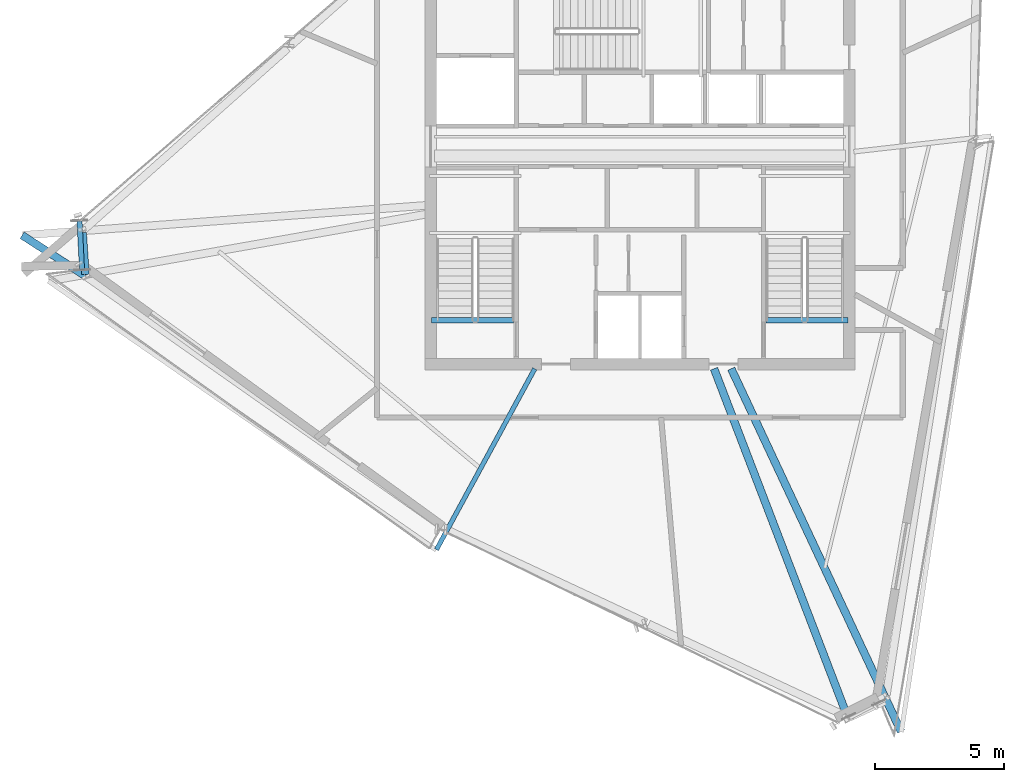
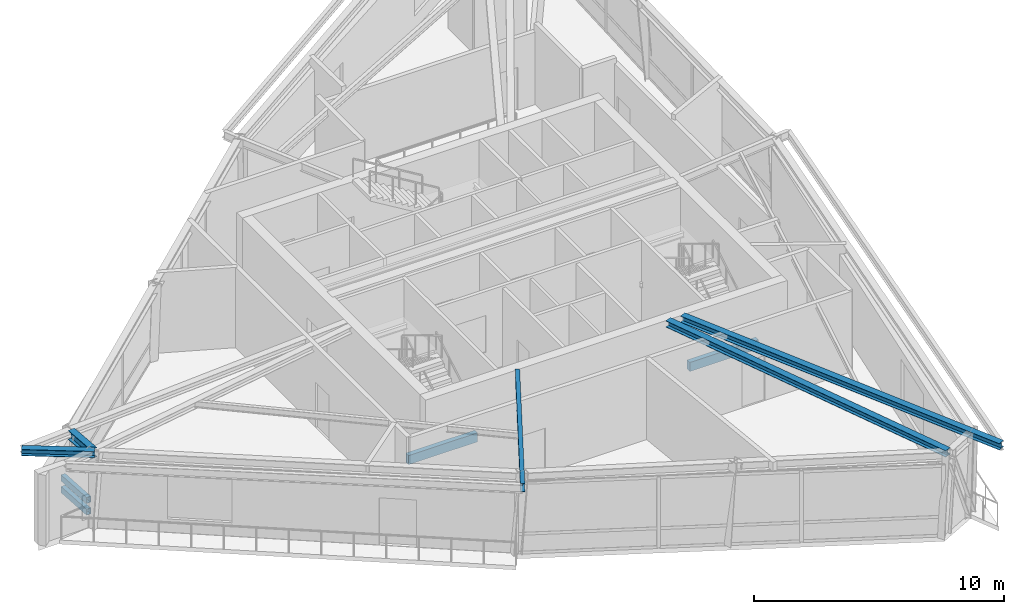
# One storey, part 5 of 22: 7 beams, 2 members.
"""IFC4 building model written with IfcOpenShell, lengths in metres."""

from ifc_helpers import new_model, si_unit, direction, frame, origin, origin_2d, place, context, subcontext, project, spatial, rectangle, hollow_rectangle, i_section, extrude, source, transform, mapped, material, material_profile, profile_set, type_object, element, save


model = new_model("IFC4")

# Units and contexts
model_context = context("Model", 3, precision=1e-05, world=origin(), true_north=direction((0.0, 1.0)))
body_context = subcontext(model_context, "Body", "Model", "MODEL_VIEW")
ifc_project = project(units=[si_unit("LENGTHUNIT", "METRE"), si_unit("AREAUNIT", "SQUARE_METRE"), si_unit("VOLUMEUNIT", "CUBIC_METRE"), si_unit("PLANEANGLEUNIT", "RADIAN"), si_unit("MASSUNIT", "GRAM", prefix="KILO")], contexts=[model_context])

# Site, building, storey
site_placement = place(None, origin())
site = spatial("IfcSite", under=ifc_project, at=site_placement, CompositionType="ELEMENT")
building_placement = place(site_placement, origin())
building = spatial("IfcBuilding", under=site, at=building_placement, Name="Olszyna Solenne Hotel", CompositionType="ELEMENT")
storey_placement = place(building_placement, frame((0.0, 0.0, 281.89990234375)))
storey = spatial("IfcBuildingStorey", under=building, at=storey_placement, Name="L75", CompositionType="ELEMENT", Elevation=281.89990234375)

# Beams
ifc_material_1 = material(Name="Steel S355J2", Category="steel")
ifc_material_profile_1 = material_profile(ifc_material_1, i_section(OverallWidth=0.300048828125, OverallDepth=0.449951171875, WebThickness=0.013916015625, FlangeThickness=0.02587890625, at=origin_2d()), Name="HEB 450", Category="load-bearing")
ifc_profile_set_1 = profile_set([ifc_material_profile_1], Name="Steel S355J2")
beam_type_1 = type_object("IfcBeamType", Name="BM-S4", PredefinedType="BEAM", material=ifc_profile_set_1)
shared_shape_1 = source(origin(), body_context, "Body", "SweptSolid", [
    extrude(i_section(OverallWidth=0.300048828125, OverallDepth=0.449951171875, WebThickness=0.013916015625, FlangeThickness=0.02587890625, at=origin_2d()), origin(), (0.0, 0.0, 1.0), 1.631591796875),
])
beam_1_placement = place(storey_placement, frame((16.373046875, 24.38134765625, 3.695068359375), z_axis=(0.066290575845, -0.99780036057, 0.0), x_axis=(0.99780036057, 0.066290575845, 0.0)))
element("IfcBeam", 1, at=beam_1_placement, inside=storey, type_object=beam_type_1, Name="Perimeter spandrel beam BM-S4 B-L75-2200", PredefinedType="BEAM", context=body_context, shape_type="MappedRepresentation", body=[
    mapped(shared_shape_1, transform((0.0, 0.0, 0.0), x_axis=(1.0, 0.0, 0.0), y_axis=(0.0, 1.0, 0.0), z_axis=(0.0, 0.0, 1.0), scale=1.0)),
])
ifc_material_profile_2 = material_profile(ifc_material_1, i_section(OverallWidth=0.179931640625, OverallDepth=0.39990234375, WebThickness=0.008544921875, FlangeThickness=0.013427734375, at=origin_2d()), Name="IPE 400", Category="load-bearing")
ifc_profile_set_2 = profile_set([ifc_material_profile_2], Name="Steel S355J2")
beam_type_2 = type_object("IfcBeamType", Name="BM-F5", PredefinedType="BEAM", material=ifc_profile_set_2)
shared_shape_2 = source(origin(), body_context, "Body", "SweptSolid", [
    extrude(i_section(OverallWidth=0.179931640625, OverallDepth=0.39990234375, WebThickness=0.008544921875, FlangeThickness=0.013427734375, at=origin_2d()), origin(), (0.0, 0.0, 1.0), 7.986572265625),
])
beam_2_placement = place(storey_placement, frame((30.1044921875, 12.07666015625, 3.72021484375), z_axis=(0.477485104509, 0.87863984372, 0.0), x_axis=(-0.87863984372, 0.477485104509, 0.0)))
element("IfcBeam", 2, at=beam_2_placement, inside=storey, type_object=beam_type_2, Name="Radial floor girder BM-F5 B-L75-2213", PredefinedType="BEAM", context=body_context, shape_type="MappedRepresentation", body=[
    mapped(shared_shape_2, transform((0.0, 0.0, 0.0), x_axis=(1.0, 0.0, 0.0), y_axis=(0.0, 1.0, 0.0), z_axis=(0.0, 0.0, 1.0), scale=1.0)),
])
ifc_material_profile_3 = material_profile(ifc_material_1, i_section(OverallWidth=0.300048828125, OverallDepth=0.31005859375, WebThickness=0.009033203125, FlangeThickness=0.015380859375, at=origin_2d()), Name="HEA 320", Category="load-bearing")
ifc_profile_set_3 = profile_set([ifc_material_profile_3], Name="Steel S355J2")
beam_type_3 = type_object("IfcBeamType", Name="BM-G3", PredefinedType="BEAM", material=ifc_profile_set_3)
shared_shape_3 = source(origin(), body_context, "Body", "SweptSolid", [
    extrude(i_section(OverallWidth=0.300048828125, OverallDepth=0.31005859375, WebThickness=0.009033203125, FlangeThickness=0.015380859375, at=origin_2d()), origin(), (0.0, 0.0, 1.0), 14.406494140625),
])
beam_3_placement = place(storey_placement, frame((46.0322265625, 5.64453125, 3.76513671875), z_axis=(-0.357911385843, 0.933755556816, 0.0), x_axis=(-0.933755556816, -0.357911385843, 0.0)))
element("IfcBeam", 3, at=beam_3_placement, inside=storey, type_object=beam_type_3, Name="Radial floor girder BM-G3 B-L75-2214", PredefinedType="BEAM", context=body_context, shape_type="MappedRepresentation", body=[
    mapped(shared_shape_3, transform((0.0, 0.0, 0.0), x_axis=(1.0, 0.0, 0.0), y_axis=(0.0, 1.0, 0.0), z_axis=(0.0, 0.0, 1.0), scale=1.0)),
])
shared_shape_4 = source(origin(), body_context, "Body", "SweptSolid", [
    extrude(i_section(OverallWidth=0.300048828125, OverallDepth=0.31005859375, WebThickness=0.009033203125, FlangeThickness=0.015380859375, at=origin_2d()), origin(), (0.0, 0.0, 1.0), 15.546630859375),
])
beam_4_placement = place(storey_placement, frame((48.1337890625, 5.014892578125, 3.76513671875), z_axis=(-0.423967512917, 0.905677397306, 0.0), x_axis=(-0.905677397306, -0.423967512917, 0.0)))
element("IfcBeam", 4, at=beam_4_placement, inside=storey, type_object=beam_type_3, Name="Radial floor girder BM-G3 B-L75-2215", PredefinedType="BEAM", context=body_context, shape_type="MappedRepresentation", body=[
    mapped(shared_shape_4, transform((0.0, 0.0, 0.0), x_axis=(1.0, 0.0, 0.0), y_axis=(0.0, 1.0, 0.0), z_axis=(0.0, 0.0, 1.0), scale=1.0)),
])
shared_shape_5 = source(origin(), body_context, "Body", "SweptSolid", [
    extrude(i_section(OverallWidth=0.300048828125, OverallDepth=0.31005859375, WebThickness=0.009033203125, FlangeThickness=0.015380859375, at=origin_2d()), origin(), (0.0, 0.0, 1.0), 2.925048828125),
])
beam_5_placement = place(storey_placement, frame((16.485107421875, 22.693359375, 3.76513671875), z_axis=(-0.841105244991, 0.540871488294, 0.0), x_axis=(-0.540871488294, -0.841105244991, 0.0)))
element("IfcBeam", 5, at=beam_5_placement, inside=storey, type_object=beam_type_3, Name="Prism side edge beam BM-G3 B-L75-2217", PredefinedType="BEAM", context=body_context, shape_type="MappedRepresentation", body=[
    mapped(shared_shape_5, transform((0.0, 0.0, 0.0), x_axis=(1.0, 0.0, 0.0), y_axis=(0.0, 1.0, 0.0), z_axis=(0.0, 0.0, 1.0), scale=1.0)),
])

# Members
ifc_material_profile_4 = material_profile(ifc_material_1, hollow_rectangle(XDim=0.199951171875, YDim=0.300048828125, WallThickness=0.01611328125, at=origin_2d()), Name="RHS 300x200x16", Category="load-bearing")
ifc_profile_set_4 = profile_set([ifc_material_profile_4], Name="Steel S355J2")
member_type = type_object("IfcMemberType", Name="CH-PR1", PredefinedType="CHORD", material=ifc_profile_set_4)
shared_shape_6 = source(origin(), body_context, "Body", "SweptSolid", [
    extrude(hollow_rectangle(XDim=0.199951171875, YDim=0.300048828125, WallThickness=0.01611328125, at=origin_2d()), origin(), (0.0, 0.0, 1.0), 1.887939453125),
])
for number, where, z_axis, x_axis, name in (
    (6, (16.25341796875, 24.83251953125, 1.35009765625), (0.05056323409, -0.998720861582, 0.0), (0.998720861582, 0.05056323409, 0.0), "Glass-prism tie chord CH-PR1 M-L75-PR1"),
    (7, (16.25341796875, 24.83251953125, 0.780029296875), (0.05056323409, -0.998720861582, 0.0), (0.998720861582, 0.05056323409, 0.0), "Glass-prism tie chord CH-PR1 M-L75-PR2"),
):
    element("IfcMember", number, at=place(storey_placement, frame(where, z_axis=z_axis, x_axis=x_axis)), inside=storey, type_object=member_type, Name=name, PredefinedType="CHORD", context=body_context, shape_type="MappedRepresentation", body=[
        mapped(shared_shape_6, transform((0.0, 0.0, 0.0), x_axis=(1.0, 0.0, 0.0), y_axis=(0.0, 1.0, 0.0), z_axis=(0.0, 0.0, 1.0), scale=1.0)),
    ])

# Beams
ifc_material_2 = material(Name="Concrete C50/60", Category="concrete")
ifc_material_profile_5 = material_profile(ifc_material_2, rectangle(XDim=0.219970703125, YDim=0.43994140625, at=origin_2d()), Name="RC 220x440", Category="load-bearing")
ifc_profile_set_5 = profile_set([ifc_material_profile_5], Name="Concrete C50/60")
beam_type_4 = type_object("IfcBeamType", Name="BM-ST1", PredefinedType="BEAM", material=ifc_profile_set_5)
shared_shape_7 = source(origin(), body_context, "Body", "SweptSolid", [
    extrude(rectangle(XDim=0.219970703125, YDim=0.43994140625, at=origin_2d()), origin(), (0.0, 0.0, 1.0), 3.18017578125),
])
for number, where, z_axis, x_axis, name in (
    (8, (33.10009765625, 20.97998046875, -0.204833984375), (-1.0, 0.0, 0.0), (0.0, -1.0, 0.0), "Concrete stair trimmer beam BM-ST1 SHB-ST1-0237"),
    (9, (46.080078125, 20.97998046875, -0.204833984375), (-1.0, 0.0, 0.0), (0.0, -1.0, 0.0), "Concrete stair trimmer beam BM-ST1 SHB-ST2-0477"),
):
    element("IfcBeam", number, at=place(storey_placement, frame(where, z_axis=z_axis, x_axis=x_axis)), inside=storey, type_object=beam_type_4, Name=name, PredefinedType="BEAM", context=body_context, shape_type="MappedRepresentation", body=[
        mapped(shared_shape_7, transform((0.0, 0.0, 0.0), x_axis=(1.0, 0.0, 0.0), y_axis=(0.0, 1.0, 0.0), z_axis=(0.0, 0.0, 1.0), scale=1.0)),
    ])

save(model, "model.ifc")
